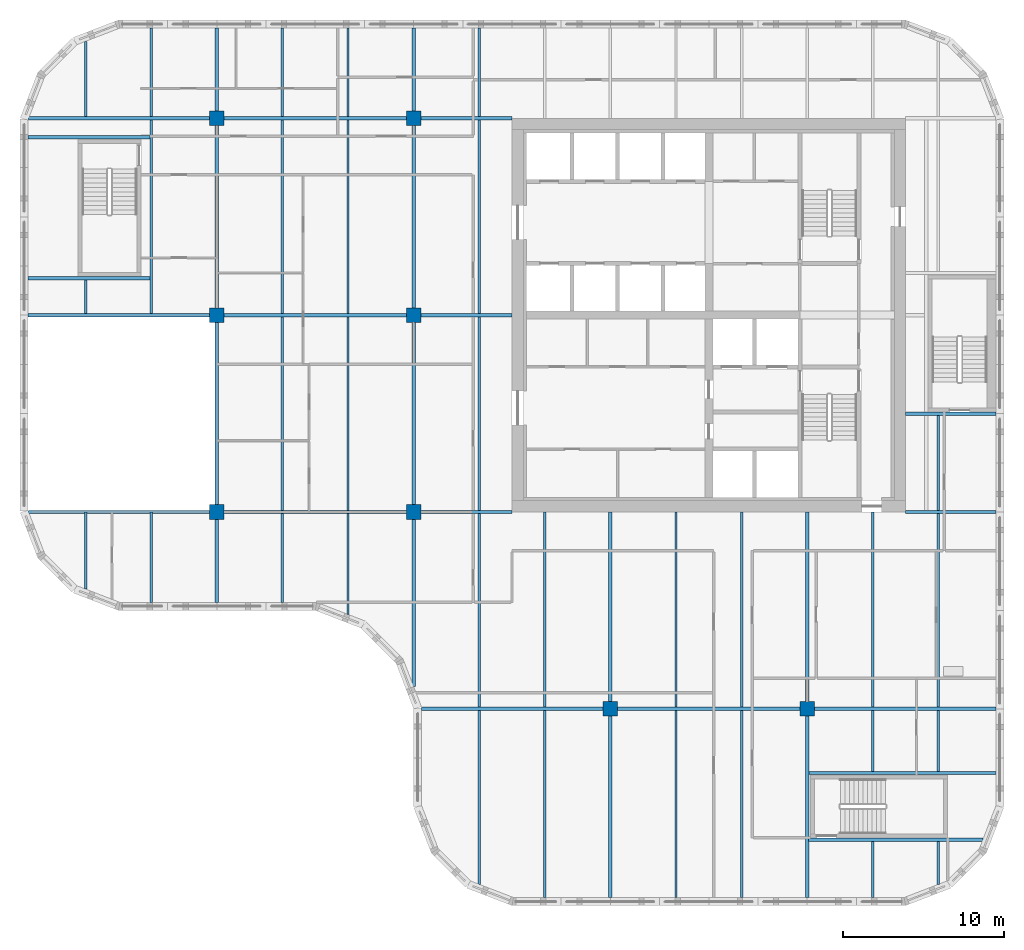
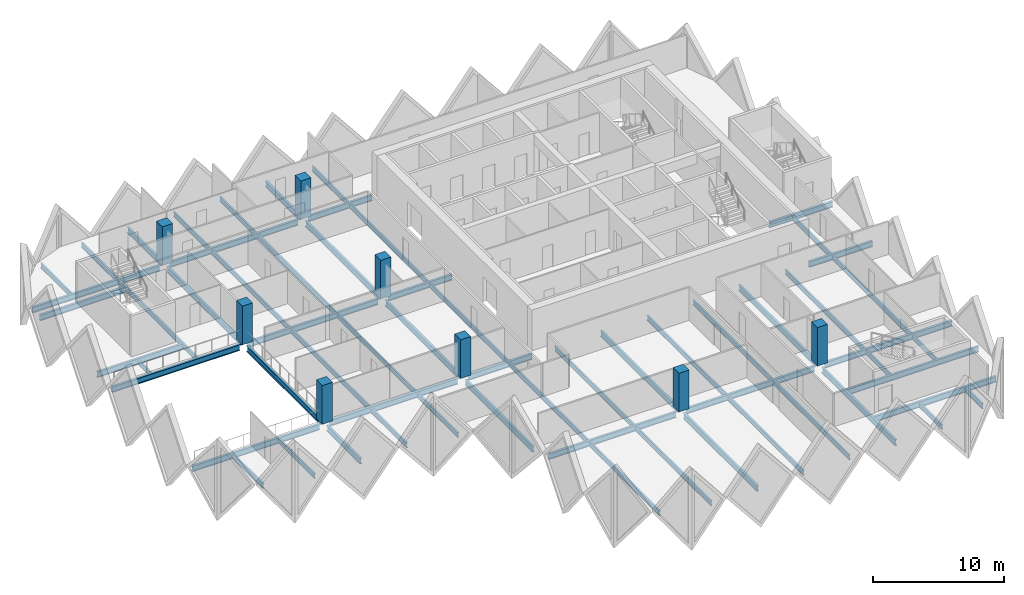
# One storey, part 1 of 12: 62 beams, 8 columns.
"""IFC4 building model written with IfcOpenShell, lengths in metres."""

from ifc_helpers import new_model, si_unit, direction, frame, origin, origin_2d, place, context, subcontext, project, spatial, rectangle, i_section, extrude, material, material_profile, profile_set, type_object, element, save


model = new_model("IFC4")

# Units and contexts
model_context = context("Model", 3, precision=1e-05, world=origin(), true_north=direction((0.0, 1.0)))
body_context = subcontext(model_context, "Body", "Model", "MODEL_VIEW")
ifc_project = project(units=[si_unit("LENGTHUNIT", "METRE"), si_unit("AREAUNIT", "SQUARE_METRE"), si_unit("VOLUMEUNIT", "CUBIC_METRE"), si_unit("PLANEANGLEUNIT", "RADIAN"), si_unit("MASSUNIT", "GRAM", prefix="KILO")], contexts=[model_context])

# Site, building, storey
site_placement = place(None, origin())
site = spatial("IfcSite", under=ifc_project, at=site_placement, CompositionType="ELEMENT")
building_placement = place(site_placement, origin())
building = spatial("IfcBuilding", under=site, at=building_placement, Name="Tessera Gate Towers", CompositionType="ELEMENT")
storey_placement = place(building_placement, frame((0.0, 0.0, 127.800048828125)))
storey = spatial("IfcBuildingStorey", under=building, at=storey_placement, Name="L31", CompositionType="ELEMENT", Elevation=127.800048828125)

# Columns
ifc_material_1 = material(Name="Concrete C70/85", Category="concrete")
ifc_material_profile_1 = material_profile(ifc_material_1, rectangle(XDim=0.89990234375, YDim=0.89990234375, at=origin_2d()), Name="RC 900x900")
ifc_profile_set_1 = profile_set([ifc_material_profile_1], Name="Concrete C70/85")
column_type = type_object("IfcColumnType", Name="COLUMN RC 900x900", PredefinedType="COLUMN", material=ifc_profile_set_1)
for number, where, z_axis, x_axis, name in (
    (1, (12.199951171875, 24.39990234375, 0.0), (0.0, 0.0, 1.0), (1.0, 0.0, 0.0), "T1-COL-2C-L31"),
    (2, (12.199951171875, 36.60009765625, 0.0), (0.0, 0.0, 1.0), (1.0, 0.0, 0.0), "T1-COL-2D-L31"),
    (3, (12.199951171875, 48.800048828125, 0.0), (0.0, 0.0, 1.0), (1.0, 0.0, 0.0), "T1-COL-2E-L31"),
    (4, (24.39990234375, 24.39990234375, 0.0), (0.0, 0.0, 1.0), (1.0, 0.0, 0.0), "T1-COL-3C-L31"),
    (5, (24.39990234375, 36.60009765625, 0.0), (0.0, 0.0, 1.0), (1.0, 0.0, 0.0), "T1-COL-3D-L31"),
    (6, (24.39990234375, 48.800048828125, 0.0), (0.0, 0.0, 1.0), (1.0, 0.0, 0.0), "T1-COL-3E-L31"),
    (7, (36.60009765625, 12.199951171875, 0.0), (0.0, 0.0, 1.0), (1.0, 0.0, 0.0), "T1-COL-4B-L31"),
    (8, (48.800048828125, 12.199951171875, 0.0), (0.0, 0.0, 1.0), (1.0, 0.0, 0.0), "T1-COL-5B-L31"),
):
    element("IfcColumn", number, at=place(storey_placement, frame(where, z_axis=z_axis, x_axis=x_axis)), inside=storey, type_object=column_type, Name=name, PredefinedType="COLUMN", context=body_context, shape_type="SweptSolid", body=[
        extrude(rectangle(XDim=0.89990234375, YDim=0.89990234375, at=origin_2d()), origin(), (0.0, 0.0, 1.0), 3.599853515625),
    ])

# Beams
ifc_material_2 = material(Name="Steel 350W", Category="steel")
ifc_material_profile_2 = material_profile(ifc_material_2, i_section(OverallWidth=0.208984375, OverallDepth=0.532958984375, WebThickness=0.01025390625, FlangeThickness=0.015625, at=origin_2d()), Name="W530x92")
ifc_profile_set_2 = profile_set([ifc_material_profile_2], Name="Steel 350W")
beam_type_1 = type_object("IfcBeamType", Name="FLOOR GIRDER W530x92", PredefinedType="BEAM", material=ifc_profile_set_2)
beam_1_placement = place(storey_placement, frame((24.89892578125, 12.199951171875, -0.466552734375), z_axis=(1.0, 0.0, 0.0), x_axis=(0.0, 1.0, 0.0)))
element("IfcBeam", 9, at=beam_1_placement, inside=storey, type_object=beam_type_1, Name="T1-GD-L31-3852", PredefinedType="BEAM", context=body_context, shape_type="SweptSolid", body=[
    extrude(i_section(OverallWidth=0.208984375, OverallDepth=0.532958984375, WebThickness=0.01025390625, FlangeThickness=0.015625, at=origin_2d()), origin(), (0.0, 0.0, 1.0), 11.2509765625),
])
beam_2_placement = place(storey_placement, frame((37.050048828125, 12.199951171875, -0.466552734375), z_axis=(1.0, 0.0, 0.0), x_axis=(0.0, 1.0, 0.0)))
element("IfcBeam", 10, at=beam_2_placement, inside=storey, type_object=beam_type_1, Name="T1-GD-L31-3853", PredefinedType="BEAM", context=body_context, shape_type="SweptSolid", body=[
    extrude(i_section(OverallWidth=0.208984375, OverallDepth=0.532958984375, WebThickness=0.01025390625, FlangeThickness=0.015625, at=origin_2d()), origin(), (0.0, 0.0, 1.0), 11.300048828125),
])
beam_3_placement = place(storey_placement, frame((49.25, 12.199951171875, -0.466552734375), z_axis=(1.0, 0.0, 0.0), x_axis=(0.0, 1.0, 0.0)))
element("IfcBeam", 11, at=beam_3_placement, inside=storey, type_object=beam_type_1, Name="T1-GD-L31-3854", PredefinedType="BEAM", context=body_context, shape_type="SweptSolid", body=[
    extrude(i_section(OverallWidth=0.208984375, OverallDepth=0.532958984375, WebThickness=0.01025390625, FlangeThickness=0.015625, at=origin_2d()), origin(), (0.0, 0.0, 1.0), 11.2509765625),
])
beam_4_placement = place(storey_placement, frame((0.534912109375, 24.39990234375, -0.466552734375), z_axis=(1.0, 0.0, 0.0), x_axis=(0.0, 1.0, 0.0)))
element("IfcBeam", 12, at=beam_4_placement, inside=storey, type_object=beam_type_1, Name="T1-GD-L31-3855", PredefinedType="BEAM", context=body_context, shape_type="SweptSolid", body=[
    extrude(i_section(OverallWidth=0.208984375, OverallDepth=0.532958984375, WebThickness=0.01025390625, FlangeThickness=0.015625, at=origin_2d()), origin(), (0.0, 0.0, 1.0), 11.215087890625),
])
beam_5_placement = place(storey_placement, frame((12.64990234375, 24.39990234375, -0.466552734375), z_axis=(1.0, 0.0, 0.0), x_axis=(0.0, 1.0, 0.0)))
element("IfcBeam", 13, at=beam_5_placement, inside=storey, type_object=beam_type_1, Name="T1-GD-L31-3856", PredefinedType="BEAM", context=body_context, shape_type="SweptSolid", body=[
    extrude(i_section(OverallWidth=0.208984375, OverallDepth=0.532958984375, WebThickness=0.01025390625, FlangeThickness=0.015625, at=origin_2d()), origin(), (0.0, 0.0, 1.0), 11.300048828125),
])
beam_6_placement = place(storey_placement, frame((24.85009765625, 24.39990234375, -0.466552734375), z_axis=(1.0, 0.0, 0.0), x_axis=(0.0, 1.0, 0.0)))
element("IfcBeam", 14, at=beam_6_placement, inside=storey, type_object=beam_type_1, Name="T1-GD-L31-3857", PredefinedType="BEAM", context=body_context, shape_type="SweptSolid", body=[
    extrude(i_section(OverallWidth=0.208984375, OverallDepth=0.532958984375, WebThickness=0.01025390625, FlangeThickness=0.015625, at=origin_2d()), origin(), (0.0, 0.0, 1.0), 5.64892578125),
])
beam_7_placement = place(storey_placement, frame((54.90087890625, 24.39990234375, -0.466552734375), z_axis=(1.0, 0.0, 0.0), x_axis=(0.0, 1.0, 0.0)))
element("IfcBeam", 15, at=beam_7_placement, inside=storey, type_object=beam_type_1, Name="T1-GD-L31-3858", PredefinedType="BEAM", context=body_context, shape_type="SweptSolid", body=[
    extrude(i_section(OverallWidth=0.208984375, OverallDepth=0.532958984375, WebThickness=0.01025390625, FlangeThickness=0.015625, at=origin_2d()), origin(), (0.0, 0.0, 1.0), 5.60009765625),
])
beam_8_placement = place(storey_placement, frame((0.4990234375, 36.60009765625, -0.466552734375), z_axis=(1.0, 0.0, 0.0), x_axis=(0.0, 1.0, 0.0)))
element("IfcBeam", 16, at=beam_8_placement, inside=storey, type_object=beam_type_1, Name="T1-GD-L31-3859", PredefinedType="BEAM", context=body_context, shape_type="SweptSolid", body=[
    extrude(i_section(OverallWidth=0.208984375, OverallDepth=0.532958984375, WebThickness=0.01025390625, FlangeThickness=0.015625, at=origin_2d()), origin(), (0.0, 0.0, 1.0), 11.2509765625),
])
beam_9_placement = place(storey_placement, frame((12.64990234375, 36.60009765625, -0.466552734375), z_axis=(1.0, 0.0, 0.0), x_axis=(0.0, 1.0, 0.0)))
element("IfcBeam", 17, at=beam_9_placement, inside=storey, type_object=beam_type_1, Name="T1-GD-L31-3860", PredefinedType="BEAM", context=body_context, shape_type="SweptSolid", body=[
    extrude(i_section(OverallWidth=0.208984375, OverallDepth=0.532958984375, WebThickness=0.01025390625, FlangeThickness=0.015625, at=origin_2d()), origin(), (0.0, 0.0, 1.0), 11.300048828125),
])
beam_10_placement = place(storey_placement, frame((24.85009765625, 36.60009765625, -0.466552734375), z_axis=(1.0, 0.0, 0.0), x_axis=(0.0, 1.0, 0.0)))
element("IfcBeam", 18, at=beam_10_placement, inside=storey, type_object=beam_type_1, Name="T1-GD-L31-3861", PredefinedType="BEAM", context=body_context, shape_type="SweptSolid", body=[
    extrude(i_section(OverallWidth=0.208984375, OverallDepth=0.532958984375, WebThickness=0.01025390625, FlangeThickness=0.015625, at=origin_2d()), origin(), (0.0, 0.0, 1.0), 5.65087890625),
])
beam_11_placement = place(storey_placement, frame((0.534912109375, 48.800048828125, -0.466552734375), z_axis=(1.0, 0.0, 0.0), x_axis=(0.0, 1.0, 0.0)))
element("IfcBeam", 19, at=beam_11_placement, inside=storey, type_object=beam_type_1, Name="T1-GD-L31-3863", PredefinedType="BEAM", context=body_context, shape_type="SweptSolid", body=[
    extrude(i_section(OverallWidth=0.208984375, OverallDepth=0.532958984375, WebThickness=0.01025390625, FlangeThickness=0.015625, at=origin_2d()), origin(), (0.0, 0.0, 1.0), 11.215087890625),
])
beam_12_placement = place(storey_placement, frame((12.64990234375, 48.800048828125, -0.466552734375), z_axis=(1.0, 0.0, 0.0), x_axis=(0.0, 1.0, 0.0)))
element("IfcBeam", 20, at=beam_12_placement, inside=storey, type_object=beam_type_1, Name="T1-GD-L31-3864", PredefinedType="BEAM", context=body_context, shape_type="SweptSolid", body=[
    extrude(i_section(OverallWidth=0.208984375, OverallDepth=0.532958984375, WebThickness=0.01025390625, FlangeThickness=0.015625, at=origin_2d()), origin(), (0.0, 0.0, 1.0), 11.300048828125),
])
beam_13_placement = place(storey_placement, frame((24.85009765625, 48.800048828125, -0.466552734375), z_axis=(1.0, 0.0, 0.0), x_axis=(0.0, 1.0, 0.0)))
element("IfcBeam", 21, at=beam_13_placement, inside=storey, type_object=beam_type_1, Name="T1-GD-L31-3865", PredefinedType="BEAM", context=body_context, shape_type="SweptSolid", body=[
    extrude(i_section(OverallWidth=0.208984375, OverallDepth=0.532958984375, WebThickness=0.01025390625, FlangeThickness=0.015625, at=origin_2d()), origin(), (0.0, 0.0, 1.0), 5.64892578125),
])
beam_14_placement = place(storey_placement, frame((12.199951171875, 18.799072265625, -0.466552734375), z_axis=(0.0, 1.0, 0.0), x_axis=(-1.0, 0.0, 0.0)))
element("IfcBeam", 22, at=beam_14_placement, inside=storey, type_object=beam_type_1, Name="T1-GD-L31-3867", PredefinedType="BEAM", context=body_context, shape_type="SweptSolid", body=[
    extrude(i_section(OverallWidth=0.208984375, OverallDepth=0.532958984375, WebThickness=0.01025390625, FlangeThickness=0.015625, at=origin_2d()), origin(), (0.0, 0.0, 1.0), 5.15087890625),
])
beam_15_placement = place(storey_placement, frame((12.199951171875, 24.85009765625, -0.466552734375), z_axis=(0.0, 1.0, 0.0), x_axis=(-1.0, 0.0, 0.0)))
element("IfcBeam", 23, at=beam_15_placement, inside=storey, type_object=beam_type_1, Name="T1-GD-L31-3868", PredefinedType="BEAM", context=body_context, shape_type="SweptSolid", body=[
    extrude(i_section(OverallWidth=0.208984375, OverallDepth=0.532958984375, WebThickness=0.01025390625, FlangeThickness=0.015625, at=origin_2d()), origin(), (0.0, 0.0, 1.0), 11.2998046875),
])
beam_16_placement = place(storey_placement, frame((12.199951171875, 37.050048828125, -0.466552734375), z_axis=(0.0, 1.0, 0.0), x_axis=(-1.0, 0.0, 0.0)))
element("IfcBeam", 24, at=beam_16_placement, inside=storey, type_object=beam_type_1, Name="T1-GD-L31-3869", PredefinedType="BEAM", context=body_context, shape_type="SweptSolid", body=[
    extrude(i_section(OverallWidth=0.208984375, OverallDepth=0.532958984375, WebThickness=0.01025390625, FlangeThickness=0.015625, at=origin_2d()), origin(), (0.0, 0.0, 1.0), 11.300048828125),
])
beam_17_placement = place(storey_placement, frame((12.199951171875, 49.25, -0.466552734375), z_axis=(0.0, 1.0, 0.0), x_axis=(-1.0, 0.0, 0.0)))
element("IfcBeam", 25, at=beam_17_placement, inside=storey, type_object=beam_type_1, Name="T1-GD-L31-3870", PredefinedType="BEAM", context=body_context, shape_type="SweptSolid", body=[
    extrude(i_section(OverallWidth=0.208984375, OverallDepth=0.532958984375, WebThickness=0.01025390625, FlangeThickness=0.015625, at=origin_2d()), origin(), (0.0, 0.0, 1.0), 5.15087890625),
])
beam_18_placement = place(storey_placement, frame((24.39990234375, 13.58642578125, -0.466552734375), z_axis=(0.0, 1.0, 0.0), x_axis=(-1.0, 0.0, 0.0)))
element("IfcBeam", 26, at=beam_18_placement, inside=storey, type_object=beam_type_1, Name="T1-GD-L31-3871", PredefinedType="BEAM", context=body_context, shape_type="SweptSolid", body=[
    extrude(i_section(OverallWidth=0.208984375, OverallDepth=0.532958984375, WebThickness=0.01025390625, FlangeThickness=0.015625, at=origin_2d()), origin(), (0.0, 0.0, 1.0), 10.363525390625),
])
beam_19_placement = place(storey_placement, frame((24.39990234375, 24.85009765625, -0.466552734375), z_axis=(0.0, 1.0, 0.0), x_axis=(-1.0, 0.0, 0.0)))
element("IfcBeam", 27, at=beam_19_placement, inside=storey, type_object=beam_type_1, Name="T1-GD-L31-3872", PredefinedType="BEAM", context=body_context, shape_type="SweptSolid", body=[
    extrude(i_section(OverallWidth=0.208984375, OverallDepth=0.532958984375, WebThickness=0.01025390625, FlangeThickness=0.015625, at=origin_2d()), origin(), (0.0, 0.0, 1.0), 11.2998046875),
])
beam_20_placement = place(storey_placement, frame((24.39990234375, 37.050048828125, -0.466552734375), z_axis=(0.0, 1.0, 0.0), x_axis=(-1.0, 0.0, 0.0)))
element("IfcBeam", 28, at=beam_20_placement, inside=storey, type_object=beam_type_1, Name="T1-GD-L31-3873", PredefinedType="BEAM", context=body_context, shape_type="SweptSolid", body=[
    extrude(i_section(OverallWidth=0.208984375, OverallDepth=0.532958984375, WebThickness=0.01025390625, FlangeThickness=0.015625, at=origin_2d()), origin(), (0.0, 0.0, 1.0), 11.300048828125),
])
beam_21_placement = place(storey_placement, frame((24.39990234375, 49.25, -0.466552734375), z_axis=(0.0, 1.0, 0.0), x_axis=(-1.0, 0.0, 0.0)))
element("IfcBeam", 29, at=beam_21_placement, inside=storey, type_object=beam_type_1, Name="T1-GD-L31-3874", PredefinedType="BEAM", context=body_context, shape_type="SweptSolid", body=[
    extrude(i_section(OverallWidth=0.208984375, OverallDepth=0.532958984375, WebThickness=0.01025390625, FlangeThickness=0.015625, at=origin_2d()), origin(), (0.0, 0.0, 1.0), 5.15087890625),
])
beam_22_placement = place(storey_placement, frame((36.60009765625, 0.4990234375, -0.466552734375), z_axis=(0.0, 1.0, 0.0), x_axis=(-1.0, 0.0, 0.0)))
element("IfcBeam", 30, at=beam_22_placement, inside=storey, type_object=beam_type_1, Name="T1-GD-L31-3875", PredefinedType="BEAM", context=body_context, shape_type="SweptSolid", body=[
    extrude(i_section(OverallWidth=0.208984375, OverallDepth=0.532958984375, WebThickness=0.01025390625, FlangeThickness=0.015625, at=origin_2d()), origin(), (0.0, 0.0, 1.0), 11.2509765625),
])
beam_23_placement = place(storey_placement, frame((36.60009765625, 12.64990234375, -0.466552734375), z_axis=(0.0, 1.0, 0.0), x_axis=(-1.0, 0.0, 0.0)))
element("IfcBeam", 31, at=beam_23_placement, inside=storey, type_object=beam_type_1, Name="T1-GD-L31-3876", PredefinedType="BEAM", context=body_context, shape_type="SweptSolid", body=[
    extrude(i_section(OverallWidth=0.208984375, OverallDepth=0.532958984375, WebThickness=0.01025390625, FlangeThickness=0.015625, at=origin_2d()), origin(), (0.0, 0.0, 1.0), 11.75),
])
beam_24_placement = place(storey_placement, frame((48.800048828125, 0.4990234375, -0.466552734375), z_axis=(0.0, 1.0, 0.0), x_axis=(-1.0, 0.0, 0.0)))
element("IfcBeam", 32, at=beam_24_placement, inside=storey, type_object=beam_type_1, Name="T1-GD-L31-3877", PredefinedType="BEAM", context=body_context, shape_type="SweptSolid", body=[
    extrude(i_section(OverallWidth=0.208984375, OverallDepth=0.532958984375, WebThickness=0.01025390625, FlangeThickness=0.015625, at=origin_2d()), origin(), (0.0, 0.0, 1.0), 11.2509765625),
])
beam_25_placement = place(storey_placement, frame((48.800048828125, 12.64990234375, -0.466552734375), z_axis=(0.0, 1.0, 0.0), x_axis=(-1.0, 0.0, 0.0)))
element("IfcBeam", 33, at=beam_25_placement, inside=storey, type_object=beam_type_1, Name="T1-GD-L31-3878", PredefinedType="BEAM", context=body_context, shape_type="SweptSolid", body=[
    extrude(i_section(OverallWidth=0.208984375, OverallDepth=0.532958984375, WebThickness=0.01025390625, FlangeThickness=0.015625, at=origin_2d()), origin(), (0.0, 0.0, 1.0), 11.75),
])
for number, where, z_axis, x_axis, name in (
    (34, (0.4990234375, 38.8798828125, -0.466552734375), (1.0, 0.0, 0.0), (0.0, 1.0, 0.0), "T1-GD-L31-3879"),
    (35, (0.4990234375, 47.6201171875, -0.466552734375), (1.0, 0.0, 0.0), (0.0, 1.0, 0.0), "T1-GD-L31-3880"),
):
    element("IfcBeam", number, at=place(storey_placement, frame(where, z_axis=z_axis, x_axis=x_axis)), inside=storey, type_object=beam_type_1, Name=name, PredefinedType="BEAM", context=body_context, shape_type="SweptSolid", body=[
        extrude(i_section(OverallWidth=0.208984375, OverallDepth=0.532958984375, WebThickness=0.01025390625, FlangeThickness=0.015625, at=origin_2d()), origin(), (0.0, 0.0, 1.0), 7.557861328125),
    ])
beam_26_placement = place(storey_placement, frame((48.87646484375, 4.080078125, -0.466552734375), z_axis=(1.0, 0.0, 0.0), x_axis=(0.0, 1.0, 0.0)))
element("IfcBeam", 36, at=beam_26_placement, inside=storey, type_object=beam_type_1, Name="T1-GD-L31-3881", PredefinedType="BEAM", context=body_context, shape_type="SweptSolid", body=[
    extrude(i_section(OverallWidth=0.208984375, OverallDepth=0.532958984375, WebThickness=0.01025390625, FlangeThickness=0.015625, at=origin_2d()), origin(), (0.0, 0.0, 1.0), 10.809326171875),
])
beam_27_placement = place(storey_placement, frame((48.87646484375, 8.219970703125, -0.466552734375), z_axis=(1.0, 0.0, 0.0), x_axis=(0.0, 1.0, 0.0)))
element("IfcBeam", 37, at=beam_27_placement, inside=storey, type_object=beam_type_1, Name="T1-GD-L31-3882", PredefinedType="BEAM", context=body_context, shape_type="SweptSolid", body=[
    extrude(i_section(OverallWidth=0.208984375, OverallDepth=0.532958984375, WebThickness=0.01025390625, FlangeThickness=0.015625, at=origin_2d()), origin(), (0.0, 0.0, 1.0), 11.62451171875),
])
beam_28_placement = place(storey_placement, frame((54.89892578125, 30.47998046875, -0.466552734375), z_axis=(1.0, 0.0, 0.0), x_axis=(0.0, 1.0, 0.0)))
element("IfcBeam", 38, at=beam_28_placement, inside=storey, type_object=beam_type_1, Name="T1-GD-L31-3883", PredefinedType="BEAM", context=body_context, shape_type="SweptSolid", body=[
    extrude(i_section(OverallWidth=0.208984375, OverallDepth=0.532958984375, WebThickness=0.01025390625, FlangeThickness=0.015625, at=origin_2d()), origin(), (0.0, 0.0, 1.0), 5.60205078125),
])
ifc_material_3 = material(Name="Steel 350W", Category="steel")
ifc_material_profile_3 = material_profile(ifc_material_3, i_section(OverallWidth=0.153076171875, OverallDepth=0.455078125, WebThickness=0.008056640625, FlangeThickness=0.01318359375, at=origin_2d()), Name="W460x60")
ifc_profile_set_3 = profile_set([ifc_material_profile_3], Name="Steel 350W")
beam_type_2 = type_object("IfcBeamType", Name="FLOOR SECONDARY W460x60", PredefinedType="BEAM", material=ifc_profile_set_3)
beam_29_placement = place(storey_placement, frame((4.066650390625, 19.620361328125, -0.427490234375), z_axis=(0.0, 1.0, 0.0), x_axis=(-1.0, 0.0, 0.0)))
element("IfcBeam", 39, at=beam_29_placement, inside=storey, type_object=beam_type_2, Name="T1-BM-L31-3886", PredefinedType="BEAM", context=body_context, shape_type="SweptSolid", body=[
    extrude(i_section(OverallWidth=0.153076171875, OverallDepth=0.455078125, WebThickness=0.008056640625, FlangeThickness=0.01318359375, at=origin_2d()), origin(), (0.0, 0.0, 1.0), 4.779541015625),
])
beam_30_placement = place(storey_placement, frame((4.066650390625, 36.70458984375, -0.427490234375), z_axis=(0.0, 1.0, 0.0), x_axis=(-1.0, 0.0, 0.0)))
element("IfcBeam", 40, at=beam_30_placement, inside=storey, type_object=beam_type_2, Name="T1-BM-L31-3887", PredefinedType="BEAM", context=body_context, shape_type="SweptSolid", body=[
    extrude(i_section(OverallWidth=0.153076171875, OverallDepth=0.455078125, WebThickness=0.008056640625, FlangeThickness=0.01318359375, at=origin_2d()), origin(), (0.0, 0.0, 1.0), 2.07080078125),
])
beam_31_placement = place(storey_placement, frame((4.066650390625, 48.904541015625, -0.427490234375), z_axis=(0.0, 1.0, 0.0), x_axis=(-1.0, 0.0, 0.0)))
element("IfcBeam", 41, at=beam_31_placement, inside=storey, type_object=beam_type_2, Name="T1-BM-L31-3888", PredefinedType="BEAM", context=body_context, shape_type="SweptSolid", body=[
    extrude(i_section(OverallWidth=0.153076171875, OverallDepth=0.455078125, WebThickness=0.008056640625, FlangeThickness=0.01318359375, at=origin_2d()), origin(), (0.0, 0.0, 1.0), 4.675048828125),
])
beam_32_placement = place(storey_placement, frame((8.13330078125, 18.800048828125, -0.427490234375), z_axis=(0.0, 1.0, 0.0), x_axis=(-1.0, 0.0, 0.0)))
element("IfcBeam", 42, at=beam_32_placement, inside=storey, type_object=beam_type_2, Name="T1-BM-L31-3889", PredefinedType="BEAM", context=body_context, shape_type="SweptSolid", body=[
    extrude(i_section(OverallWidth=0.153076171875, OverallDepth=0.455078125, WebThickness=0.008056640625, FlangeThickness=0.01318359375, at=origin_2d()), origin(), (0.0, 0.0, 1.0), 5.599853515625),
])
beam_33_placement = place(storey_placement, frame((8.13330078125, 36.70458984375, -0.427490234375), z_axis=(0.0, 1.0, 0.0), x_axis=(-1.0, 0.0, 0.0)))
element("IfcBeam", 43, at=beam_33_placement, inside=storey, type_object=beam_type_2, Name="T1-BM-L31-3890", PredefinedType="BEAM", context=body_context, shape_type="SweptSolid", body=[
    extrude(i_section(OverallWidth=0.153076171875, OverallDepth=0.455078125, WebThickness=0.008056640625, FlangeThickness=0.01318359375, at=origin_2d()), origin(), (0.0, 0.0, 1.0), 11.990966796875),
])
for number, where, z_axis, x_axis, name in (
    (44, (8.13330078125, 48.904541015625, -0.427490234375), (0.0, 1.0, 0.0), (-1.0, 0.0, 0.0), "T1-BM-L31-3891"),
    (45, (16.2666015625, 18.800048828125, -0.427490234375), (0.0, 1.0, 0.0), (-1.0, 0.0, 0.0), "T1-BM-L31-3892"),
):
    element("IfcBeam", number, at=place(storey_placement, frame(where, z_axis=z_axis, x_axis=x_axis)), inside=storey, type_object=beam_type_2, Name=name, PredefinedType="BEAM", context=body_context, shape_type="SweptSolid", body=[
        extrude(i_section(OverallWidth=0.153076171875, OverallDepth=0.455078125, WebThickness=0.008056640625, FlangeThickness=0.01318359375, at=origin_2d()), origin(), (0.0, 0.0, 1.0), 5.495361328125),
    ])
beam_34_placement = place(storey_placement, frame((16.2666015625, 24.50439453125, -0.427490234375), z_axis=(0.0, 1.0, 0.0), x_axis=(-1.0, 0.0, 0.0)))
element("IfcBeam", 46, at=beam_34_placement, inside=storey, type_object=beam_type_2, Name="T1-BM-L31-3893", PredefinedType="BEAM", context=body_context, shape_type="SweptSolid", body=[
    extrude(i_section(OverallWidth=0.153076171875, OverallDepth=0.455078125, WebThickness=0.008056640625, FlangeThickness=0.01318359375, at=origin_2d()), origin(), (0.0, 0.0, 1.0), 11.9912109375),
])
beam_35_placement = place(storey_placement, frame((16.2666015625, 36.70458984375, -0.427490234375), z_axis=(0.0, 1.0, 0.0), x_axis=(-1.0, 0.0, 0.0)))
element("IfcBeam", 47, at=beam_35_placement, inside=storey, type_object=beam_type_2, Name="T1-BM-L31-3894", PredefinedType="BEAM", context=body_context, shape_type="SweptSolid", body=[
    extrude(i_section(OverallWidth=0.153076171875, OverallDepth=0.455078125, WebThickness=0.008056640625, FlangeThickness=0.01318359375, at=origin_2d()), origin(), (0.0, 0.0, 1.0), 11.990966796875),
])
beam_36_placement = place(storey_placement, frame((16.2666015625, 48.904541015625, -0.427490234375), z_axis=(0.0, 1.0, 0.0), x_axis=(-1.0, 0.0, 0.0)))
element("IfcBeam", 48, at=beam_36_placement, inside=storey, type_object=beam_type_2, Name="T1-BM-L31-3895", PredefinedType="BEAM", context=body_context, shape_type="SweptSolid", body=[
    extrude(i_section(OverallWidth=0.153076171875, OverallDepth=0.455078125, WebThickness=0.008056640625, FlangeThickness=0.01318359375, at=origin_2d()), origin(), (0.0, 0.0, 1.0), 5.495361328125),
])
beam_37_placement = place(storey_placement, frame((20.333251953125, 18.051513671875, -0.427490234375), z_axis=(0.0, 1.0, 0.0), x_axis=(-1.0, 0.0, 0.0)))
element("IfcBeam", 49, at=beam_37_placement, inside=storey, type_object=beam_type_2, Name="T1-BM-L31-3896", PredefinedType="BEAM", context=body_context, shape_type="SweptSolid", body=[
    extrude(i_section(OverallWidth=0.153076171875, OverallDepth=0.455078125, WebThickness=0.008056640625, FlangeThickness=0.01318359375, at=origin_2d()), origin(), (0.0, 0.0, 1.0), 6.243896484375),
])
beam_38_placement = place(storey_placement, frame((20.333251953125, 24.50439453125, -0.427490234375), z_axis=(0.0, 1.0, 0.0), x_axis=(-1.0, 0.0, 0.0)))
element("IfcBeam", 50, at=beam_38_placement, inside=storey, type_object=beam_type_2, Name="T1-BM-L31-3897", PredefinedType="BEAM", context=body_context, shape_type="SweptSolid", body=[
    extrude(i_section(OverallWidth=0.153076171875, OverallDepth=0.455078125, WebThickness=0.008056640625, FlangeThickness=0.01318359375, at=origin_2d()), origin(), (0.0, 0.0, 1.0), 11.9912109375),
])
beam_39_placement = place(storey_placement, frame((20.333251953125, 36.70458984375, -0.427490234375), z_axis=(0.0, 1.0, 0.0), x_axis=(-1.0, 0.0, 0.0)))
element("IfcBeam", 51, at=beam_39_placement, inside=storey, type_object=beam_type_2, Name="T1-BM-L31-3898", PredefinedType="BEAM", context=body_context, shape_type="SweptSolid", body=[
    extrude(i_section(OverallWidth=0.153076171875, OverallDepth=0.455078125, WebThickness=0.008056640625, FlangeThickness=0.01318359375, at=origin_2d()), origin(), (0.0, 0.0, 1.0), 11.990966796875),
])
beam_40_placement = place(storey_placement, frame((20.333251953125, 48.904541015625, -0.427490234375), z_axis=(0.0, 1.0, 0.0), x_axis=(-1.0, 0.0, 0.0)))
element("IfcBeam", 52, at=beam_40_placement, inside=storey, type_object=beam_type_2, Name="T1-BM-L31-3899", PredefinedType="BEAM", context=body_context, shape_type="SweptSolid", body=[
    extrude(i_section(OverallWidth=0.153076171875, OverallDepth=0.455078125, WebThickness=0.008056640625, FlangeThickness=0.01318359375, at=origin_2d()), origin(), (0.0, 0.0, 1.0), 5.495361328125),
])
beam_41_placement = place(storey_placement, frame((28.466796875, 1.3203125, -0.427490234375), z_axis=(0.0, 1.0, 0.0), x_axis=(-1.0, 0.0, 0.0)))
element("IfcBeam", 53, at=beam_41_placement, inside=storey, type_object=beam_type_2, Name="T1-BM-L31-3900", PredefinedType="BEAM", context=body_context, shape_type="SweptSolid", body=[
    extrude(i_section(OverallWidth=0.153076171875, OverallDepth=0.455078125, WebThickness=0.008056640625, FlangeThickness=0.01318359375, at=origin_2d()), origin(), (0.0, 0.0, 1.0), 10.775146484375),
])
beam_42_placement = place(storey_placement, frame((28.466796875, 12.304443359375, -0.427490234375), z_axis=(0.0, 1.0, 0.0), x_axis=(-1.0, 0.0, 0.0)))
element("IfcBeam", 54, at=beam_42_placement, inside=storey, type_object=beam_type_2, Name="T1-BM-L31-3901", PredefinedType="BEAM", context=body_context, shape_type="SweptSolid", body=[
    extrude(i_section(OverallWidth=0.153076171875, OverallDepth=0.455078125, WebThickness=0.008056640625, FlangeThickness=0.01318359375, at=origin_2d()), origin(), (0.0, 0.0, 1.0), 11.990966796875),
])
beam_43_placement = place(storey_placement, frame((28.466796875, 24.50439453125, -0.427490234375), z_axis=(0.0, 1.0, 0.0), x_axis=(-1.0, 0.0, 0.0)))
element("IfcBeam", 55, at=beam_43_placement, inside=storey, type_object=beam_type_2, Name="T1-BM-L31-3902", PredefinedType="BEAM", context=body_context, shape_type="SweptSolid", body=[
    extrude(i_section(OverallWidth=0.153076171875, OverallDepth=0.455078125, WebThickness=0.008056640625, FlangeThickness=0.01318359375, at=origin_2d()), origin(), (0.0, 0.0, 1.0), 11.9912109375),
])
beam_44_placement = place(storey_placement, frame((28.466796875, 36.70458984375, -0.427490234375), z_axis=(0.0, 1.0, 0.0), x_axis=(-1.0, 0.0, 0.0)))
element("IfcBeam", 56, at=beam_44_placement, inside=storey, type_object=beam_type_2, Name="T1-BM-L31-3903", PredefinedType="BEAM", context=body_context, shape_type="SweptSolid", body=[
    extrude(i_section(OverallWidth=0.153076171875, OverallDepth=0.455078125, WebThickness=0.008056640625, FlangeThickness=0.01318359375, at=origin_2d()), origin(), (0.0, 0.0, 1.0), 11.990966796875),
])
beam_45_placement = place(storey_placement, frame((28.466796875, 48.904541015625, -0.427490234375), z_axis=(0.0, 1.0, 0.0), x_axis=(-1.0, 0.0, 0.0)))
element("IfcBeam", 57, at=beam_45_placement, inside=storey, type_object=beam_type_2, Name="T1-BM-L31-3904", PredefinedType="BEAM", context=body_context, shape_type="SweptSolid", body=[
    extrude(i_section(OverallWidth=0.153076171875, OverallDepth=0.455078125, WebThickness=0.008056640625, FlangeThickness=0.01318359375, at=origin_2d()), origin(), (0.0, 0.0, 1.0), 5.495361328125),
])
beam_46_placement = place(storey_placement, frame((32.533203125, 0.5, -0.427490234375), z_axis=(0.0, 1.0, 0.0), x_axis=(-1.0, 0.0, 0.0)))
element("IfcBeam", 58, at=beam_46_placement, inside=storey, type_object=beam_type_2, Name="T1-BM-L31-3905", PredefinedType="BEAM", context=body_context, shape_type="SweptSolid", body=[
    extrude(i_section(OverallWidth=0.153076171875, OverallDepth=0.455078125, WebThickness=0.008056640625, FlangeThickness=0.01318359375, at=origin_2d()), origin(), (0.0, 0.0, 1.0), 11.595458984375),
])
beam_47_placement = place(storey_placement, frame((32.533203125, 12.304443359375, -0.427490234375), z_axis=(0.0, 1.0, 0.0), x_axis=(-1.0, 0.0, 0.0)))
element("IfcBeam", 59, at=beam_47_placement, inside=storey, type_object=beam_type_2, Name="T1-BM-L31-3906", PredefinedType="BEAM", context=body_context, shape_type="SweptSolid", body=[
    extrude(i_section(OverallWidth=0.153076171875, OverallDepth=0.455078125, WebThickness=0.008056640625, FlangeThickness=0.01318359375, at=origin_2d()), origin(), (0.0, 0.0, 1.0), 12.095458984375),
])
beam_48_placement = place(storey_placement, frame((40.666748046875, 0.5, -0.427490234375), z_axis=(0.0, 1.0, 0.0), x_axis=(-1.0, 0.0, 0.0)))
element("IfcBeam", 60, at=beam_48_placement, inside=storey, type_object=beam_type_2, Name="T1-BM-L31-3909", PredefinedType="BEAM", context=body_context, shape_type="SweptSolid", body=[
    extrude(i_section(OverallWidth=0.153076171875, OverallDepth=0.455078125, WebThickness=0.008056640625, FlangeThickness=0.01318359375, at=origin_2d()), origin(), (0.0, 0.0, 1.0), 11.595458984375),
])
beam_49_placement = place(storey_placement, frame((40.666748046875, 12.304443359375, -0.427490234375), z_axis=(0.0, 1.0, 0.0), x_axis=(-1.0, 0.0, 0.0)))
element("IfcBeam", 61, at=beam_49_placement, inside=storey, type_object=beam_type_2, Name="T1-BM-L31-3910", PredefinedType="BEAM", context=body_context, shape_type="SweptSolid", body=[
    extrude(i_section(OverallWidth=0.153076171875, OverallDepth=0.455078125, WebThickness=0.008056640625, FlangeThickness=0.01318359375, at=origin_2d()), origin(), (0.0, 0.0, 1.0), 12.095458984375),
])
beam_50_placement = place(storey_placement, frame((44.7333984375, 0.5, -0.427490234375), z_axis=(0.0, 1.0, 0.0), x_axis=(-1.0, 0.0, 0.0)))
element("IfcBeam", 62, at=beam_50_placement, inside=storey, type_object=beam_type_2, Name="T1-BM-L31-3912", PredefinedType="BEAM", context=body_context, shape_type="SweptSolid", body=[
    extrude(i_section(OverallWidth=0.153076171875, OverallDepth=0.455078125, WebThickness=0.008056640625, FlangeThickness=0.01318359375, at=origin_2d()), origin(), (0.0, 0.0, 1.0), 11.595458984375),
])
beam_51_placement = place(storey_placement, frame((44.7333984375, 12.304443359375, -0.427490234375), z_axis=(0.0, 1.0, 0.0), x_axis=(-1.0, 0.0, 0.0)))
element("IfcBeam", 63, at=beam_51_placement, inside=storey, type_object=beam_type_2, Name="T1-BM-L31-3913", PredefinedType="BEAM", context=body_context, shape_type="SweptSolid", body=[
    extrude(i_section(OverallWidth=0.153076171875, OverallDepth=0.455078125, WebThickness=0.008056640625, FlangeThickness=0.01318359375, at=origin_2d()), origin(), (0.0, 0.0, 1.0), 12.095458984375),
])
beam_52_placement = place(storey_placement, frame((52.86669921875, 0.5, -0.427490234375), z_axis=(0.0, 1.0, 0.0), x_axis=(-1.0, 0.0, 0.0)))
element("IfcBeam", 64, at=beam_52_placement, inside=storey, type_object=beam_type_2, Name="T1-BM-L31-3916", PredefinedType="BEAM", context=body_context, shape_type="SweptSolid", body=[
    extrude(i_section(OverallWidth=0.153076171875, OverallDepth=0.455078125, WebThickness=0.008056640625, FlangeThickness=0.01318359375, at=origin_2d()), origin(), (0.0, 0.0, 1.0), 3.4755859375),
])
beam_53_placement = place(storey_placement, frame((52.86669921875, 8.324462890625, -0.427490234375), z_axis=(0.0, 1.0, 0.0), x_axis=(-1.0, 0.0, 0.0)))
element("IfcBeam", 65, at=beam_53_placement, inside=storey, type_object=beam_type_2, Name="T1-BM-L31-3917", PredefinedType="BEAM", context=body_context, shape_type="SweptSolid", body=[
    extrude(i_section(OverallWidth=0.153076171875, OverallDepth=0.455078125, WebThickness=0.008056640625, FlangeThickness=0.01318359375, at=origin_2d()), origin(), (0.0, 0.0, 1.0), 3.77099609375),
])
beam_54_placement = place(storey_placement, frame((52.86669921875, 12.304443359375, -0.427490234375), z_axis=(0.0, 1.0, 0.0), x_axis=(-1.0, 0.0, 0.0)))
element("IfcBeam", 66, at=beam_54_placement, inside=storey, type_object=beam_type_2, Name="T1-BM-L31-3918", PredefinedType="BEAM", context=body_context, shape_type="SweptSolid", body=[
    extrude(i_section(OverallWidth=0.153076171875, OverallDepth=0.455078125, WebThickness=0.008056640625, FlangeThickness=0.01318359375, at=origin_2d()), origin(), (0.0, 0.0, 1.0), 12.095458984375),
])
beam_55_placement = place(storey_placement, frame((56.933349609375, 1.3203125, -0.427490234375), z_axis=(0.0, 1.0, 0.0), x_axis=(-1.0, 0.0, 0.0)))
element("IfcBeam", 67, at=beam_55_placement, inside=storey, type_object=beam_type_2, Name="T1-BM-L31-3920", PredefinedType="BEAM", context=body_context, shape_type="SweptSolid", body=[
    extrude(i_section(OverallWidth=0.153076171875, OverallDepth=0.455078125, WebThickness=0.008056640625, FlangeThickness=0.01318359375, at=origin_2d()), origin(), (0.0, 0.0, 1.0), 2.6552734375),
])
beam_56_placement = place(storey_placement, frame((56.933349609375, 8.324462890625, -0.427490234375), z_axis=(0.0, 1.0, 0.0), x_axis=(-1.0, 0.0, 0.0)))
element("IfcBeam", 68, at=beam_56_placement, inside=storey, type_object=beam_type_2, Name="T1-BM-L31-3921", PredefinedType="BEAM", context=body_context, shape_type="SweptSolid", body=[
    extrude(i_section(OverallWidth=0.153076171875, OverallDepth=0.455078125, WebThickness=0.008056640625, FlangeThickness=0.01318359375, at=origin_2d()), origin(), (0.0, 0.0, 1.0), 3.77099609375),
])
beam_57_placement = place(storey_placement, frame((56.933349609375, 12.304443359375, -0.427490234375), z_axis=(0.0, 1.0, 0.0), x_axis=(-1.0, 0.0, 0.0)))
element("IfcBeam", 69, at=beam_57_placement, inside=storey, type_object=beam_type_2, Name="T1-BM-L31-3922", PredefinedType="BEAM", context=body_context, shape_type="SweptSolid", body=[
    extrude(i_section(OverallWidth=0.153076171875, OverallDepth=0.455078125, WebThickness=0.008056640625, FlangeThickness=0.01318359375, at=origin_2d()), origin(), (0.0, 0.0, 1.0), 11.990966796875),
])
beam_58_placement = place(storey_placement, frame((56.933349609375, 24.50439453125, -0.427490234375), z_axis=(0.0, 1.0, 0.0), x_axis=(-1.0, 0.0, 0.0)))
element("IfcBeam", 70, at=beam_58_placement, inside=storey, type_object=beam_type_2, Name="T1-BM-L31-3923", PredefinedType="BEAM", context=body_context, shape_type="SweptSolid", body=[
    extrude(i_section(OverallWidth=0.153076171875, OverallDepth=0.455078125, WebThickness=0.008056640625, FlangeThickness=0.01318359375, at=origin_2d()), origin(), (0.0, 0.0, 1.0), 5.87109375),
])

save(model, "model.ifc")
